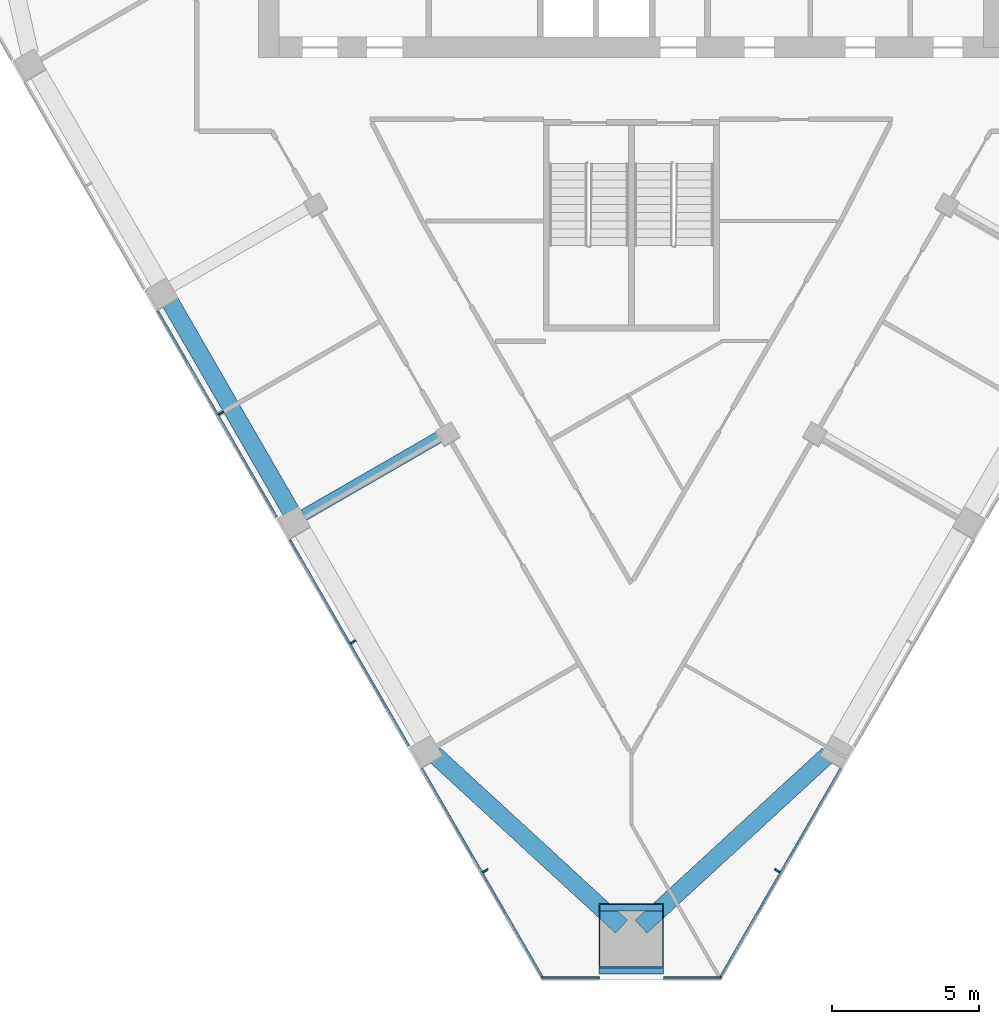
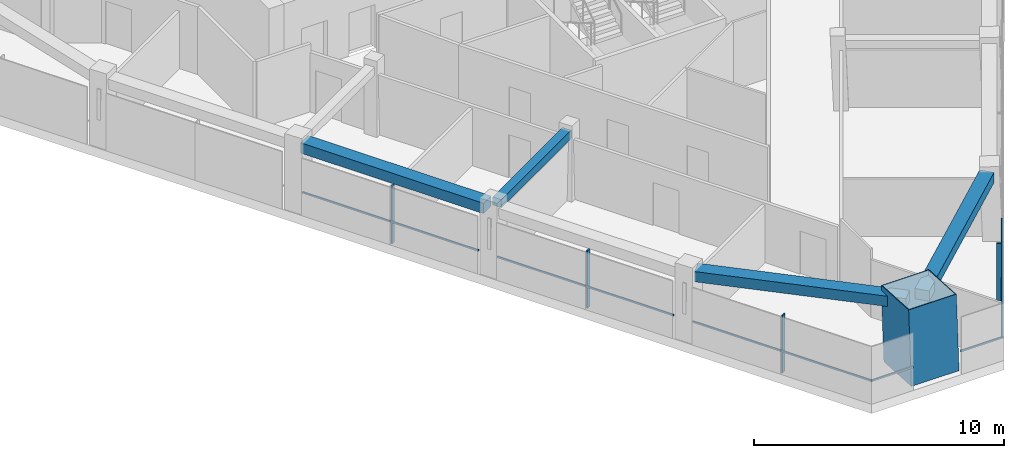
# One storey, part 2 of 13: 11 members, 4 beams, 3 elements without a shape of their own.
"""IFC4 building model written with IfcOpenShell, lengths in metres."""

import ifcopenshell
import ifcopenshell.guid

model = None  # the IFC model being written
_history = None  # IfcOwnerHistory: only IFC2X3 demands one
_inside = {}  # id of a spatial element -> (the spatial element, [elements in it])
_under = {}  # id of a project, library or spatial element -> (it, [spatial elements below it])
_declared = {}  # id of a project -> (the project, [libraries it declares])
_typed = {}  # id of a type object -> (the type object, [elements of that type])
_made_of = {}  # id of a material, layer set ... -> (it, [elements and type objects made of it])


def new_model(schema):
    """Start an empty IFC model of exactly this schema.

    Asked for "IFC4X3", IfcOpenShell would pick the latest addendum, in which some entities
    have other attributes; the version numbers below select the first issue.
    IFC2X3 requires an IfcOwnerHistory on every rooted entity: one is made here for all.
    """
    global model, _history
    if schema == "IFC4X3":
        model = ifcopenshell.file(schema_version=(4, 3, 0, 0))
    else:
        model = ifcopenshell.file(schema=schema)
    _inside.clear()
    _under.clear()
    _declared.clear()
    _typed.clear()
    _made_of.clear()
    _history = None
    if model.schema == "IFC2X3":
        org = make("IfcOrganization", Name="unknown")
        user = make(
            "IfcPersonAndOrganization",
            ThePerson=make("IfcPerson", FamilyName="unknown"),
            TheOrganization=org,
        )
        app = make(
            "IfcApplication",
            ApplicationDeveloper=org,
            Version="unknown",
            ApplicationFullName="unknown",
            ApplicationIdentifier="unknown",
        )
        _history = make(
            "IfcOwnerHistory",
            OwningUser=user,
            OwningApplication=app,
            ChangeAction="ADDED",
            CreationDate=0,
        )
    return model


def make(cls, **values):
    """One entity of the class cls with the attributes given. An attribute that is None is left unset."""
    return model.create_entity(
        cls, **{name: value for name, value in values.items() if value is not None}
    )


def rooted(cls, **values):
    """An entity with a GlobalId (a new one), such as an element, a storey or a relation."""
    return make(cls, GlobalId=ifcopenshell.guid.new(), OwnerHistory=_history, **values)


def si_unit(unit_type, name, prefix=None):
    """IfcSIUnit, for example si_unit("LENGTHUNIT", "METRE", prefix="MILLI")."""
    return make("IfcSIUnit", UnitType=unit_type, Prefix=prefix, Name=name)


def assignment(units):
    """IfcUnitAssignment: the units of a project."""
    return None if units is None else make("IfcUnitAssignment", Units=units)


def point(xyz):
    """IfcCartesianPoint."""
    return None if xyz is None else make("IfcCartesianPoint", Coordinates=xyz)


def direction(xyz):
    """IfcDirection."""
    return None if xyz is None else make("IfcDirection", DirectionRatios=xyz)


def frame(location, z_axis=None, x_axis=None):
    """IfcAxis2Placement3D, a coordinate frame: its origin and axes. An axis left out is left unset."""
    return make(
        "IfcAxis2Placement3D",
        Location=point(location),
        Axis=direction(z_axis),
        RefDirection=direction(x_axis),
    )


def frame_2d(location, x_axis=None):
    """IfcAxis2Placement2D, a coordinate frame in the plane: its origin and x axis."""
    return make(
        "IfcAxis2Placement2D", Location=point(location), RefDirection=direction(x_axis)
    )


def origin():
    """The frame at (0, 0, 0) with its axes left unset."""
    return frame((0.0, 0.0, 0.0))


def origin_2d():
    """The frame at (0, 0) in the plane with its x axis left unset."""
    return frame_2d((0.0, 0.0))


def place(relative_to, where):
    """IfcLocalPlacement: puts the frame where relative to a parent placement (None: the world)."""
    return make(
        "IfcLocalPlacement", PlacementRelTo=relative_to, RelativePlacement=where
    )


def context(
    kind, dimensions, precision=None, world=None, true_north=None, identifier=None
):
    """IfcGeometricRepresentationContext, for example the 3D "Model" context."""
    return make(
        "IfcGeometricRepresentationContext",
        ContextIdentifier=identifier,
        ContextType=kind,
        CoordinateSpaceDimension=dimensions,
        Precision=precision,
        WorldCoordinateSystem=world,
        TrueNorth=true_north,
    )


def subcontext(parent, identifier, kind, view, scale=None):
    """IfcGeometricRepresentationSubContext, for example "Body" below "Model"."""
    return make(
        "IfcGeometricRepresentationSubContext",
        ContextIdentifier=identifier,
        ContextType=kind,
        ParentContext=parent,
        TargetScale=scale,
        TargetView=view,
    )


def project(units=None, contexts=None):
    """IfcProject with its units and contexts."""
    return rooted(
        "IfcProject",
        Name="project",
        RepresentationContexts=contexts,
        UnitsInContext=assignment(units),
    )


def spatial(cls, under=None, at=None, **own):
    """A site, building, storey or space (cls), placed at a placement, below another one or the project."""
    s = rooted(cls, ObjectPlacement=at, **own)
    if under is not None:
        _under.setdefault(under.id(), (under, []))[1].append(s)
    return s


def profile(cls, at=None, kind="AREA", **sizes):
    """A parametric profile (cls). Its sizes go by their IFC names, for example OverallWidth=200.0."""
    return make(cls, ProfileType=kind, Position=at, **sizes)


def rectangle(**sizes):
    """IfcRectangleProfileDef."""
    return profile("IfcRectangleProfileDef", **sizes)


def hollow_rectangle(**sizes):
    """IfcRectangleHollowProfileDef."""
    return profile("IfcRectangleHollowProfileDef", **sizes)


def extrude(swept, where, along, depth):
    """IfcExtrudedAreaSolid: the profile swept, set in the frame where, extruded along a direction by depth."""
    return make(
        "IfcExtrudedAreaSolid",
        SweptArea=swept,
        Position=where,
        ExtrudedDirection=direction(along),
        Depth=depth,
    )


def shape(context_of_items, identifier, shape_type, items):
    """IfcShapeRepresentation: the items that make up one representation, for example the "Body"."""
    return make(
        "IfcShapeRepresentation",
        ContextOfItems=context_of_items,
        RepresentationIdentifier=identifier,
        RepresentationType=shape_type,
        Items=items,
    )


def material(Name=None, Category=None):
    """IfcMaterial."""
    return make("IfcMaterial", Name=Name, Category=Category)


def layer(
    of_material, thickness, ventilated=None, Name=None, Category=None, Priority=None
):
    """IfcMaterialLayer: one layer of a wall or slab, of a material (None: an air gap)."""
    return make(
        "IfcMaterialLayer",
        Material=of_material,
        LayerThickness=thickness,
        IsVentilated=ventilated,
        Name=Name,
        Category=Category,
        Priority=Priority,
    )


def layer_set(layers, Name=None):
    """IfcMaterialLayerSet."""
    return make("IfcMaterialLayerSet", MaterialLayers=layers, LayerSetName=Name)


def material_profile(
    of_material, cross_section, Name=None, Category=None, Priority=None
):
    """IfcMaterialProfile: a cross section and its material."""
    return make(
        "IfcMaterialProfile",
        Name=Name,
        Material=of_material,
        Profile=cross_section,
        Priority=Priority,
        Category=Category,
    )


def profile_set(profiles, Name=None, composite=None):
    """IfcMaterialProfileSet."""
    return make(
        "IfcMaterialProfileSet",
        Name=Name,
        MaterialProfiles=profiles,
        CompositeProfile=composite,
    )


def made_of(thing, what):
    """Note that an element or type object is made of a material, layer set ...; save() writes the relation."""
    if what is not None:
        _made_of.setdefault(what.id(), (what, []))[1].append(thing)
    return thing


def type_object(cls, material=None, **own):
    """A type object (cls), such as IfcWallType, which elements share."""
    return made_of(rooted(cls, **own), material)


def element(
    cls,
    number,
    at=None,
    inside=None,
    cuts=None,
    type_object=None,
    material=None,
    context=None,
    identifier="Body",
    shape_type=None,
    held_by="IfcProductDefinitionShape",
    body=None,
    shapes=None,
    **own,
):
    """One element of the class cls, such as IfcWall. Its Tag is "e" and its number.

    at: its placement. inside: the storey or other place that contains it. cuts: it is an
    opening in that element (IfcRelVoidsElement). A single representation is given by context,
    identifier, shape_type and body (its items); several are given by shapes. held_by: the class
    of the entity that holds the representations. save() writes the other relations.
    """
    e = rooted(cls, Tag="e%d" % number, ObjectPlacement=at, **own)
    if body is not None:
        shapes = [shape(context, identifier, shape_type, body)]
    if shapes is not None:
        e.Representation = make(held_by, Representations=shapes)
    if inside is not None:
        _inside.setdefault(inside.id(), (inside, []))[1].append(e)
    if cuts is not None:
        rooted(
            "IfcRelVoidsElement", RelatingBuildingElement=cuts, RelatedOpeningElement=e
        )
    if type_object is not None:
        _typed.setdefault(type_object.id(), (type_object, []))[1].append(e)
    return made_of(e, material)


def aggregate(whole, parts):
    """IfcRelAggregates: a whole, such as a stair, and the parts it consists of."""
    return rooted("IfcRelAggregates", RelatingObject=whole, RelatedObjects=parts)


def save(model, path):
    """Write the relations noted so far, then the file.

    IfcRelAggregates (storeys below a building ...), IfcRelContainedInSpatialStructure (elements
    in a storey), IfcRelDefinesByType, IfcRelAssociatesMaterial and IfcRelDeclares: one each for
    every whole, place, type object, material and project.
    """
    for whole, parts in _under.values():
        aggregate(whole, parts)
    for where, things in _inside.values():
        rooted(
            "IfcRelContainedInSpatialStructure",
            RelatedElements=things,
            RelatingStructure=where,
        )
    for kind, things in _typed.values():
        rooted("IfcRelDefinesByType", RelatedObjects=things, RelatingType=kind)
    for what, things in _made_of.values():
        rooted("IfcRelAssociatesMaterial", RelatedObjects=things, RelatingMaterial=what)
    for by, libraries in _declared.values():
        rooted("IfcRelDeclares", RelatingContext=by, RelatedDefinitions=libraries)
    model.write(path)


model = new_model("IFC4")

# Units and contexts
model_context = context("Model", 3, precision=1e-05, world=origin(), true_north=direction((0.0, 1.0)))
body_context = subcontext(model_context, "Body", "Model", "MODEL_VIEW")
ifc_project = project(units=[si_unit("LENGTHUNIT", "METRE"), si_unit("AREAUNIT", "SQUARE_METRE"), si_unit("VOLUMEUNIT", "CUBIC_METRE"), si_unit("PLANEANGLEUNIT", "RADIAN"), si_unit("MASSUNIT", "GRAM", prefix="KILO")], contexts=[model_context])

# Site, building, storey
site_placement = place(None, origin())
site = spatial("IfcSite", under=ifc_project, at=site_placement, CompositionType="ELEMENT")
building_placement = place(site_placement, origin())
building = spatial("IfcBuilding", under=site, at=building_placement, Name="Altiplano Prism Tower", CompositionType="ELEMENT")
storey_placement = place(building_placement, frame((0.0, 0.0, 208.800048828125)))
storey = spatial("IfcBuildingStorey", under=building, at=storey_placement, Name="L54", CompositionType="ELEMENT", Elevation=208.800048828125)

# Curtain wall, members
ifc_material_1 = material(Name="Aluminium and glass", Category="aluminium")
ifc_layer = layer(ifc_material_1, 0.303955078125)
ifc_layer_set = layer_set([ifc_layer], Name="Aluminium and glass")
curtain_wall_type = type_object("IfcCurtainWallType", Name="CW2 lounge-band unitised glazing", PredefinedType="NOTDEFINED", material=ifc_layer_set)
curtain_wall_1_placement = place(storey_placement, origin())
curtain_wall_1 = element("IfcCurtainWall", 1, at=curtain_wall_1_placement, inside=storey, type_object=curtain_wall_type, Name="CW2 curtain wall south-west face L54", PredefinedType="NOTDEFINED")
ifc_material_2 = material(Name="Aluminium", Category="aluminium")
ifc_material_profile_1 = material_profile(ifc_material_2, rectangle(XDim=0.199951171875, YDim=0.06005859375, at=origin_2d()), Name="CW2 mullion 60 x 200")
ifc_profile_set_1 = profile_set([ifc_material_profile_1], Name="Aluminium")
member_type_1 = type_object("IfcMemberType", Name="CW2 mullion 60 x 200", PredefinedType="MULLION", material=ifc_profile_set_1)
member_1_placement = place(storey_placement, frame((71.029541015625, 80.5986328125, 0.0), z_axis=(0.0, 0.0, 1.0), x_axis=(0.866025415618, 0.499999979504, 0.0)))
member_1 = element("IfcMember", 2, at=member_1_placement, type_object=member_type_1, Name="CW2 mullion", PredefinedType="MULLION", context=body_context, shape_type="SweptSolid", body=[
    extrude(rectangle(XDim=0.199951171875, YDim=0.06005859375, at=origin_2d()), origin(), (0.0, 0.0, 1.0), 2.800048828125),
])
member_2_placement = place(storey_placement, frame((75.529541015625, 72.804443359375, 0.0), z_axis=(0.0, 0.0, 1.0), x_axis=(0.866025415618, 0.499999979504, 0.0)))
member_2 = element("IfcMember", 3, at=member_2_placement, type_object=member_type_1, Name="CW2 mullion", PredefinedType="MULLION", context=body_context, shape_type="SweptSolid", body=[
    extrude(rectangle(XDim=0.199951171875, YDim=0.06005859375, at=origin_2d()), origin(), (0.0, 0.0, 1.0), 2.800048828125),
])
member_3_placement = place(storey_placement, frame((80.029541015625, 65.010009765625, 0.0), z_axis=(0.0, 0.0, 1.0), x_axis=(0.866025415618, 0.499999979504, 0.0)))
member_3 = element("IfcMember", 4, at=member_3_placement, type_object=member_type_1, Name="CW2 mullion", PredefinedType="MULLION", context=body_context, shape_type="SweptSolid", body=[
    extrude(rectangle(XDim=0.199951171875, YDim=0.06005859375, at=origin_2d()), origin(), (0.0, 0.0, 1.0), 2.800048828125),
])

# Curtain wall, member
curtain_wall_2_placement = place(storey_placement, origin())
curtain_wall_2 = element("IfcCurtainWall", 5, at=curtain_wall_2_placement, inside=storey, type_object=curtain_wall_type, Name="CW2 curtain wall south-east face L54", PredefinedType="NOTDEFINED")
member_4_placement = place(storey_placement, frame((89.970458984375, 65.010009765625, 0.0), z_axis=(0.0, 0.0, 1.0), x_axis=(-0.866025415618, 0.499999979504, 0.0)))
member_4 = element("IfcMember", 6, at=member_4_placement, type_object=member_type_1, Name="CW2 mullion", PredefinedType="MULLION", context=body_context, shape_type="SweptSolid", body=[
    extrude(rectangle(XDim=0.199951171875, YDim=0.06005859375, at=origin_2d()), origin(), (0.0, 0.0, 1.0), 2.800048828125),
])

# Member
ifc_material_profile_2 = material_profile(ifc_material_2, rectangle(XDim=0.06005859375, YDim=0.080078125, at=origin_2d()), Name="CW2 transom 80 x 60")
ifc_profile_set_2 = profile_set([ifc_material_profile_2], Name="Aluminium")
member_type_2 = type_object("IfcMemberType", Name="CW2 transom 80 x 60", PredefinedType="USERDEFINED", material=ifc_profile_set_2)
member_5_placement = place(storey_placement, frame((68.867431640625, 84.083740234375, 1.099853515625), z_axis=(0.499990533176, -0.866030869389, 0.0), x_axis=(0.866030869389, 0.499990533176, 0.0)))
member_5 = element("IfcMember", 7, at=member_5_placement, type_object=member_type_2, Name="CW2 transom", ObjectType="TRANSOM", PredefinedType="USERDEFINED", context=body_context, shape_type="SweptSolid", body=[
    extrude(rectangle(XDim=0.06005859375, YDim=0.080078125, at=origin_2d()), origin(), (0.0, 0.0, 1.0), 8.119873046875),
])

member_6_placement = place(storey_placement, frame((73.367431640625, 76.28955078125, 1.099853515625), z_axis=(0.499990533176, -0.866030869389, 0.0), x_axis=(0.866030869389, 0.499990533176, 0.0)))
member_6 = element("IfcMember", 8, at=member_6_placement, type_object=member_type_2, Name="CW2 transom", ObjectType="TRANSOM", PredefinedType="USERDEFINED", context=body_context, shape_type="SweptSolid", body=[
    extrude(rectangle(XDim=0.06005859375, YDim=0.080078125, at=origin_2d()), origin(), (0.0, 0.0, 1.0), 8.119873046875),
])

member_7_placement = place(storey_placement, frame((77.867431640625, 68.495361328125, 1.099853515625), z_axis=(0.499988734358, -0.866031907908, 0.0), x_axis=(0.866031907908, 0.499988734358, 0.0)))
member_7 = element("IfcMember", 9, at=member_7_placement, type_object=member_type_2, Name="CW2 transom", ObjectType="TRANSOM", PredefinedType="USERDEFINED", context=body_context, shape_type="SweptSolid", body=[
    extrude(rectangle(XDim=0.06005859375, YDim=0.080078125, at=origin_2d()), origin(), (0.0, 0.0, 1.0), 8.280517578125),
])

aggregate(curtain_wall_1, [member_1, member_5, member_2, member_6, member_3, member_7])

# Curtain wall, members
curtain_wall_3_placement = place(storey_placement, origin())
curtain_wall_3 = element("IfcCurtainWall", 10, at=curtain_wall_3_placement, inside=storey, type_object=curtain_wall_type, Name="CW2 curtain wall south chamfer L54", PredefinedType="NOTDEFINED")
member_8_placement = place(storey_placement, frame((81.943603515625, 61.361083984375, 1.099853515625), z_axis=(1.0, 0.0, 0.0), x_axis=(0.0, 1.0, 0.0)))
member_8 = element("IfcMember", 11, at=member_8_placement, type_object=member_type_2, Name="CW2 transom", ObjectType="TRANSOM", PredefinedType="USERDEFINED", context=body_context, shape_type="SweptSolid", body=[
    extrude(rectangle(XDim=0.06005859375, YDim=0.080078125, at=origin_2d()), origin(), (0.0, 0.0, 1.0), 1.956298828125),
])
member_9_placement = place(storey_placement, frame((86.10009765625, 61.361083984375, 1.099853515625), z_axis=(1.0, 0.0, 0.0), x_axis=(0.0, 1.0, 0.0)))
member_9 = element("IfcMember", 12, at=member_9_placement, type_object=member_type_2, Name="CW2 transom", ObjectType="TRANSOM", PredefinedType="USERDEFINED", context=body_context, shape_type="SweptSolid", body=[
    extrude(rectangle(XDim=0.06005859375, YDim=0.080078125, at=origin_2d()), origin(), (0.0, 0.0, 1.0), 1.956298828125),
])
aggregate(curtain_wall_3, [member_8, member_9])

# Member
member_10_placement = place(storey_placement, frame((87.992431640625, 61.32421875, 1.099853515625), z_axis=(0.499988734358, 0.866031907908, 0.0), x_axis=(-0.866031907908, 0.499988734358, 0.0)))
member_10 = element("IfcMember", 13, at=member_10_placement, type_object=member_type_2, Name="CW2 transom", ObjectType="TRANSOM", PredefinedType="USERDEFINED", context=body_context, shape_type="SweptSolid", body=[
    extrude(rectangle(XDim=0.06005859375, YDim=0.080078125, at=origin_2d()), origin(), (0.0, 0.0, 1.0), 8.280517578125),
])

aggregate(curtain_wall_2, [member_4, member_10])

# Beams
ifc_material_3 = material(Name="Concrete C60/75", Category="concrete")
ifc_material_profile_3 = material_profile(ifc_material_3, rectangle(XDim=0.60009765625, YDim=0.5, at=origin_2d()), Name="Edge beam 600x500")
ifc_profile_set_3 = profile_set([ifc_material_profile_3], Name="Concrete C60/75")
beam_type_1 = type_object("IfcBeamType", Name="Edge beam 600x500", PredefinedType="SPANDREL", material=ifc_profile_set_3)
beam_1_placement = place(storey_placement, frame((69.212646484375, 84.5146484375, 3.050048828125), z_axis=(0.500006240468, -0.866021800818, 0.0), x_axis=(0.866021800818, 0.500006240468, 0.0)))
element("IfcBeam", 14, at=beam_1_placement, inside=storey, type_object=beam_type_1, Name="Edge beam P12-P13 L55", PredefinedType="SPANDREL", context=body_context, shape_type="SweptSolid", body=[
    extrude(rectangle(XDim=0.60009765625, YDim=0.5, at=origin_2d()), origin(), (0.0, 0.0, 1.0), 8.43994140625),
])
for number, where, z_axis, x_axis, name in (
    (15, (78.292724609375, 68.96630859375, 3.050048828125), (0.736039413427, -0.67693868399, 0.0), (0.67693868399, 0.736039413427, 0.0), "Edge beam P14-M1 L55"),
    (16, (85.331298828125, 63.102294921875, 3.050048828125), (0.736039413427, 0.67693868399, 0.0), (-0.67693868399, 0.736039413427, 0.0), "Edge beam M1-P21 L55"),
):
    element("IfcBeam", number, at=place(storey_placement, frame(where, z_axis=z_axis, x_axis=x_axis)), inside=storey, type_object=beam_type_1, Name=name, PredefinedType="SPANDREL", context=body_context, shape_type="SweptSolid", body=[
        extrude(rectangle(XDim=0.60009765625, YDim=0.5, at=origin_2d()), origin(), (0.0, 0.0, 1.0), 8.66259765625),
    ])

# Member
ifc_material_4 = material(Name="Steel S460", Category="steel")
ifc_material_profile_4 = material_profile(ifc_material_4, hollow_rectangle(XDim=2.199951171875, YDim=2.199951171875, WallThickness=0.0400390625, at=origin_2d()), Name="Mega column tube 2200")
ifc_profile_set_4 = profile_set([ifc_material_profile_4], Name="Steel S460")
member_type_3 = type_object("IfcMemberType", Name="Mega column tube 2200", PredefinedType="POST", material=ifc_profile_set_4)
member_11_placement = place(storey_placement, frame((85.0, 62.587158203125, 0.0), z_axis=(0.0, 0.058360852261, 0.998295552892), x_axis=(-1.0, 0.0, 0.0)))
element("IfcMember", 17, at=member_11_placement, inside=storey, type_object=member_type_3, Name="Mega column tube M1 L54", PredefinedType="POST", context=body_context, shape_type="SweptSolid", body=[
    extrude(hollow_rectangle(XDim=2.199951171875, YDim=2.199951171875, WallThickness=0.0400390625, at=origin_2d()), origin(), (0.0, 0.0, 1.0), 3.60595703125),
])

# Beam
ifc_material_profile_5 = material_profile(ifc_material_3, rectangle(XDim=0.39990234375, YDim=0.39990234375, at=origin_2d()), Name="Tie beam 400x400")
ifc_profile_set_5 = profile_set([ifc_material_profile_5], Name="Concrete C60/75")
beam_type_2 = type_object("IfcBeamType", Name="Tie beam 400x400", PredefinedType="BEAM", material=ifc_profile_set_5)
beam_2_placement = place(storey_placement, frame((78.65625, 79.89794921875, 3.099853515625), z_axis=(-0.866030670444, -0.499990877767, 0.0), x_axis=(0.499990877767, -0.866030670444, 0.0)))
element("IfcBeam", 18, at=beam_2_placement, inside=storey, type_object=beam_type_2, Name="Tie beam I13 L55", PredefinedType="BEAM", context=body_context, shape_type="SweptSolid", body=[
    extrude(rectangle(XDim=0.39990234375, YDim=0.39990234375, at=origin_2d()), origin(), (0.0, 0.0, 1.0), 5.58984375),
])

save(model, "model.ifc")
